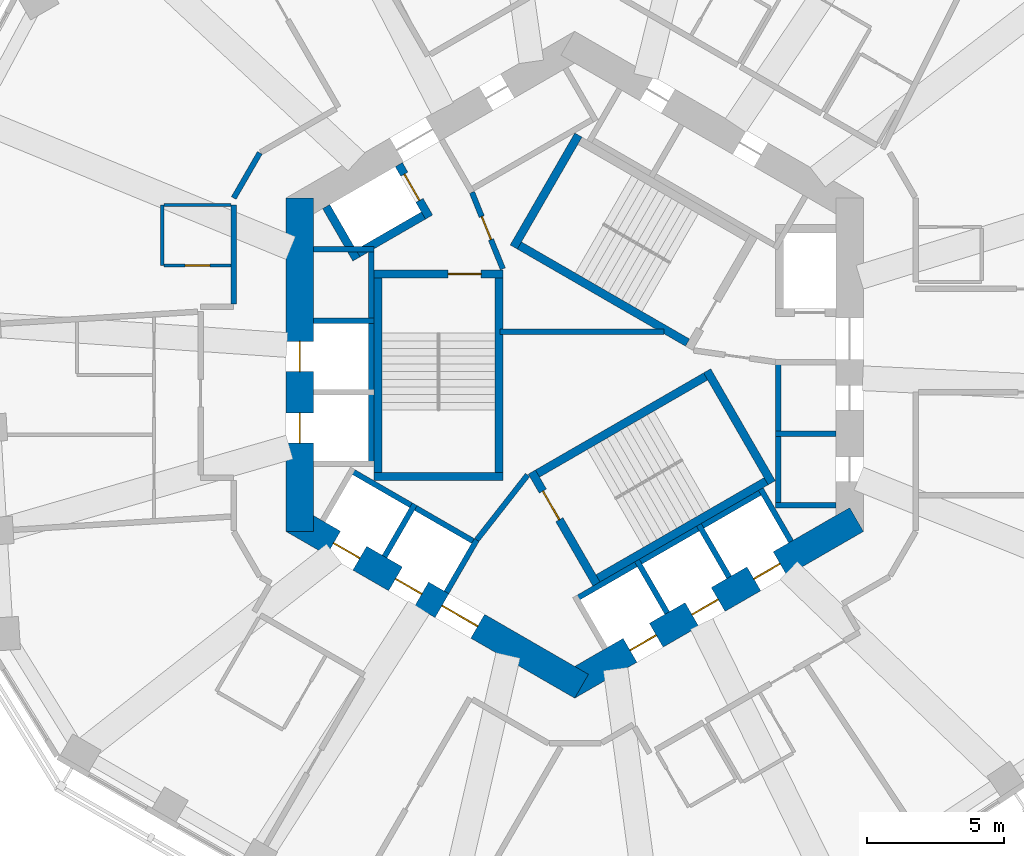
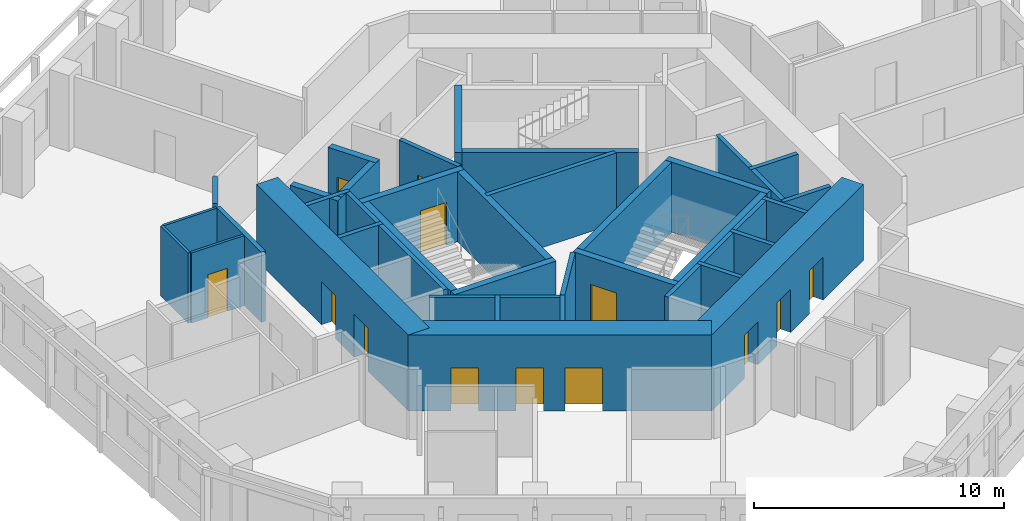
# One storey, part 5 of 11: 37 walls, 13 doors, 13 openings.
"""IFC4 building model written with IfcOpenShell, lengths in metres."""

from ifc_helpers import new_model, si_unit, direction, frame, frame_2d, origin, place, context, subcontext, project, spatial, rectangle, extrude, material, layer, layer_set, type_object, element, fill, save


model = new_model("IFC4")

# Units and contexts
model_context = context("Model", 3, precision=1e-05, world=origin(), true_north=direction((0.0, 1.0)))
body_context = subcontext(model_context, "Body", "Model", "MODEL_VIEW")
ifc_project = project(units=[si_unit("LENGTHUNIT", "METRE"), si_unit("AREAUNIT", "SQUARE_METRE"), si_unit("VOLUMEUNIT", "CUBIC_METRE"), si_unit("PLANEANGLEUNIT", "RADIAN"), si_unit("MASSUNIT", "GRAM", prefix="KILO")], contexts=[model_context])

# Site, building, storey
site_placement = place(None, origin())
site = spatial("IfcSite", under=ifc_project, at=site_placement, CompositionType="ELEMENT")
building_placement = place(site_placement, origin())
building = spatial("IfcBuilding", under=site, at=building_placement, Name="Vanh Sen Convention Tower", CompositionType="ELEMENT")
storey_placement = place(building_placement, frame((0.0, 0.0, 168.800048828125)))
storey = spatial("IfcBuildingStorey", under=building, at=storey_placement, Name="L41", CompositionType="ELEMENT", Elevation=168.800048828125)

# Walls
ifc_material_1 = material(Name="Moisture-resistant gypsum board on steel studs", Category="steel")
ifc_layer_1 = layer(ifc_material_1, 0.1201171875)
ifc_layer_set_1 = layer_set([ifc_layer_1], Name="Moisture-resistant gypsum board on steel studs")
wall_type_1 = type_object("IfcWallType", Name="Bathroom partition 120", PredefinedType="PARTITIONING", material=ifc_layer_set_1)
wall_1_placement = place(storey_placement, frame((-15.0, 3.6123046875, 0.0), z_axis=(0.0, 0.0, 1.0), x_axis=(0.0, 1.0, 0.0)))
element("IfcWall", 1, at=wall_1_placement, inside=storey, type_object=wall_type_1, Name="Bathroom partition 120", PredefinedType="PARTITIONING", context=body_context, shape_type="SweptSolid", body=[
    extrude(rectangle(XDim=2.199951171875, YDim=0.1201171875, at=frame_2d((1.10009765625, 0.0))), origin(), (0.0, 0.0, 1.0), 3.419921875),
])
wall_2_placement = place(storey_placement, frame((-14.93994140625, 5.812255859375, 0.0), z_axis=(0.0, 0.0, 1.0), x_axis=(1.0, 0.0, 0.0)))
element("IfcWall", 2, at=wall_2_placement, inside=storey, type_object=wall_type_1, Name="Bathroom partition 120", PredefinedType="PARTITIONING", context=body_context, shape_type="SweptSolid", body=[
    extrude(rectangle(XDim=2.43994140625, YDim=0.1201171875, at=frame_2d((1.219970703125, 0.0))), origin(), (0.0, 0.0, 1.0), 3.419921875),
])

# Wall, opening, door
wall_3_placement = place(storey_placement, frame((-12.5, 3.6123046875, 0.0), z_axis=(0.0, 0.0, 1.0), x_axis=(-1.0, 0.0, 0.0)))
wall_3 = element("IfcWall", 3, at=wall_3_placement, inside=storey, type_object=wall_type_1, Name="Bathroom partition 120", PredefinedType="PARTITIONING", context=body_context, shape_type="SweptSolid", body=[
    extrude(rectangle(XDim=2.43994140625, YDim=0.1201171875, at=frame_2d((1.219970703125, 0.0))), origin(), (0.0, 0.0, 1.0), 3.419921875),
])
opening_1_placement = place(wall_3_placement, frame((0.77001953125, 0.0, 0.0)))
opening_1 = element("IfcOpeningElement", 4, at=opening_1_placement, cuts=wall_3, Name="Opening D41108", PredefinedType="OPENING", context=body_context, shape_type="SweptSolid", body=[
    extrude(rectangle(XDim=0.89990234375, YDim=2.10009765625, at=frame_2d((0.449951171875, 1.050048828125))), frame((0.0, 0.070068359375, 0.0), z_axis=(0.0, -1.0, 0.0), x_axis=(1.0, 0.0, 0.0)), (0.0, 0.0, 1.0), 0.14013671875),
])
ifc_material_2 = material(Name="Laminate door in steel frame", Category="steel")
door_type_1 = type_object("IfcDoorType", Name="Room internal door 900", OperationType="SINGLE_SWING_LEFT", PredefinedType="DOOR", material=ifc_material_2)
door_1_placement = place(opening_1_placement, origin())
door_1 = element("IfcDoor", 5, at=door_1_placement, inside=storey, type_object=door_type_1, Name="Internal room door D41108", OperationType="SINGLE_SWING_LEFT", OverallHeight=2.10009765625, OverallWidth=0.89990234375, PredefinedType="DOOR", context=body_context, shape_type="SweptSolid", body=[
    extrude(rectangle(XDim=0.89990234375, YDim=2.10009765625, at=frame_2d((0.449951171875, 1.050048828125))), frame((0.0, 0.02490234375, 0.0), z_axis=(0.0, -1.0, 0.0), x_axis=(1.0, 0.0, 0.0)), (0.0, 0.0, 1.0), 0.050048828125),
])
fill(opening_1, door_1)

# Wall, openings, doors
ifc_material_3 = material(Name="Concrete C80/95", Category="concrete")
ifc_layer_2 = layer(ifc_material_3, 1.0)
ifc_layer_set_2 = layer_set([ifc_layer_2], Name="Concrete C80/95")
wall_type_2 = type_object("IfcWallType", Name="Core outer wall 1000 C80/95", PredefinedType="SHEAR", material=ifc_layer_set_2)
wall_4_placement = place(storey_placement, frame((-10.0, 6.062255859375, 0.0), z_axis=(0.0, 0.0, 1.0), x_axis=(0.0, -1.0, 0.0)))
wall_4 = element("IfcWall", 6, at=wall_4_placement, inside=storey, type_object=wall_type_2, Name="Core wall face W L41", PredefinedType="SHEAR", context=body_context, shape_type="SweptSolid", body=[
    extrude(rectangle(XDim=12.12451171875, YDim=1.0, at=frame_2d((6.062255859375, 0.0))), origin(), (0.0, 0.0, 1.0), 3.699951171875),
])
opening_2_placement = place(wall_4_placement, frame((5.212158203125, 0.0, 0.0)))
opening_2 = element("IfcOpeningElement", 7, at=opening_2_placement, cuts=wall_4, Name="Opening LD-HR1", PredefinedType="OPENING", context=body_context, shape_type="SweptSolid", body=[
    extrude(rectangle(XDim=1.10009765625, YDim=2.10009765625, at=frame_2d((0.550048828125, 1.050048828125))), frame((0.0, 0.510009765625, 0.0), z_axis=(0.0, -1.0, 0.0), x_axis=(1.0, 0.0, 0.0)), (0.0, 0.0, 1.0), 1.02001953125),
])
opening_3_placement = place(wall_4_placement, frame((7.812255859375, 0.0, 0.0)))
opening_3 = element("IfcOpeningElement", 8, at=opening_3_placement, cuts=wall_4, Name="Opening LD-HR2", PredefinedType="OPENING", context=body_context, shape_type="SweptSolid", body=[
    extrude(rectangle(XDim=1.10009765625, YDim=2.10009765625, at=frame_2d((0.550048828125, 1.050048828125))), frame((0.0, 0.510009765625, 0.0), z_axis=(0.0, -1.0, 0.0), x_axis=(1.0, 0.0, 0.0)), (0.0, 0.0, 1.0), 1.02001953125),
])
ifc_material_4 = material(Name="Stainless steel", Category="steel")
door_type_2 = type_object("IfcDoorType", Name="Lift landing door 1100", OperationType="DOUBLE_DOOR_SLIDING", PredefinedType="DOOR", material=ifc_material_4)
door_2_placement = place(opening_2_placement, origin())
door_2 = element("IfcDoor", 9, at=door_2_placement, inside=storey, type_object=door_type_2, Name="Lift HR1 landing door LD-HR1", OperationType="DOUBLE_DOOR_SLIDING", OverallHeight=2.10009765625, OverallWidth=1.10009765625, PredefinedType="DOOR", context=body_context, shape_type="SweptSolid", body=[
    extrude(rectangle(XDim=1.10009765625, YDim=2.10009765625, at=frame_2d((0.550048828125, 1.050048828125))), frame((0.0, 0.02490234375, 0.0), z_axis=(0.0, -1.0, 0.0), x_axis=(1.0, 0.0, 0.0)), (0.0, 0.0, 1.0), 0.050048828125),
])
fill(opening_2, door_2)
door_3_placement = place(opening_3_placement, origin())
door_3 = element("IfcDoor", 10, at=door_3_placement, inside=storey, type_object=door_type_2, Name="Lift HR2 landing door LD-HR2", OperationType="DOUBLE_DOOR_SLIDING", OverallHeight=2.10009765625, OverallWidth=1.10009765625, PredefinedType="DOOR", context=body_context, shape_type="SweptSolid", body=[
    extrude(rectangle(XDim=1.10009765625, YDim=2.10009765625, at=frame_2d((0.550048828125, 1.050048828125))), frame((0.0, 0.02490234375, 0.0), z_axis=(0.0, -1.0, 0.0), x_axis=(1.0, 0.0, 0.0)), (0.0, 0.0, 1.0), 0.050048828125),
])
fill(opening_3, door_3)

wall_5_placement = place(storey_placement, frame((-10.25, -5.629150390625, 0.0), z_axis=(0.0, 0.0, 1.0), x_axis=(0.866022616891, -0.50000482701, 0.0)))
wall_5 = element("IfcWall", 11, at=wall_5_placement, inside=storey, type_object=wall_type_2, Name="Core wall face SW L41", PredefinedType="SHEAR", context=body_context, shape_type="SweptSolid", body=[
    extrude(rectangle(XDim=12.12451171875, YDim=1.0, at=frame_2d((6.062255859375, 0.0))), origin(), (0.0, 0.0, 1.0), 3.699951171875),
])
opening_4_placement = place(wall_5_placement, frame((6.26220703125, 0.0, 0.0)))
opening_4 = element("IfcOpeningElement", 12, at=opening_4_placement, cuts=wall_5, Name="Opening D41003", PredefinedType="OPENING", context=body_context, shape_type="SweptSolid", body=[
    extrude(rectangle(XDim=1.5, YDim=2.10009765625, at=frame_2d((0.75, 1.050048828125))), frame((0.0, 0.510009765625, 0.0), z_axis=(0.0, -1.0, 0.0), x_axis=(1.0, 0.0, 0.0)), (0.0, 0.0, 1.0), 1.02001953125),
])
opening_5_placement = place(wall_5_placement, frame((1.712158203125, 0.0, 0.0)))
opening_5 = element("IfcOpeningElement", 13, at=opening_5_placement, cuts=wall_5, Name="Opening LD-HR3", PredefinedType="OPENING", context=body_context, shape_type="SweptSolid", body=[
    extrude(rectangle(XDim=1.10009765625, YDim=2.10009765625, at=frame_2d((0.550048828125, 1.050048828125))), frame((0.0, 0.510009765625, 0.0), z_axis=(0.0, -1.0, 0.0), x_axis=(1.0, 0.0, 0.0)), (0.0, 0.0, 1.0), 1.02001953125),
])
opening_6_placement = place(wall_5_placement, frame((4.312255859375, 0.0, 0.0)))
opening_6 = element("IfcOpeningElement", 14, at=opening_6_placement, cuts=wall_5, Name="Opening LD-HR4", PredefinedType="OPENING", context=body_context, shape_type="SweptSolid", body=[
    extrude(rectangle(XDim=1.10009765625, YDim=2.10009765625, at=frame_2d((0.550048828125, 1.050048828125))), frame((0.0, 0.510009765625, 0.0), z_axis=(0.0, -1.0, 0.0), x_axis=(1.0, 0.0, 0.0)), (0.0, 0.0, 1.0), 1.02001953125),
])
door_4_placement = place(opening_5_placement, origin())
door_4 = element("IfcDoor", 15, at=door_4_placement, inside=storey, type_object=door_type_2, Name="Lift HR3 landing door LD-HR3", OperationType="DOUBLE_DOOR_SLIDING", OverallHeight=2.10009765625, OverallWidth=1.10009765625, PredefinedType="DOOR", context=body_context, shape_type="SweptSolid", body=[
    extrude(rectangle(XDim=1.10009765625, YDim=2.10009765625, at=frame_2d((0.550048828125, 1.050048828125))), frame((0.0, 0.02490234375, 0.0), z_axis=(0.0, -1.0, 0.0), x_axis=(1.0, 0.0, 0.0)), (0.0, 0.0, 1.0), 0.050048828125),
])
fill(opening_5, door_4)
door_5_placement = place(opening_6_placement, origin())
door_5 = element("IfcDoor", 16, at=door_5_placement, inside=storey, type_object=door_type_2, Name="Lift HR4 landing door LD-HR4", OperationType="DOUBLE_DOOR_SLIDING", OverallHeight=2.10009765625, OverallWidth=1.10009765625, PredefinedType="DOOR", context=body_context, shape_type="SweptSolid", body=[
    extrude(rectangle(XDim=1.10009765625, YDim=2.10009765625, at=frame_2d((0.550048828125, 1.050048828125))), frame((0.0, 0.02490234375, 0.0), z_axis=(0.0, -1.0, 0.0), x_axis=(1.0, 0.0, 0.0)), (0.0, 0.0, 1.0), 0.050048828125),
])
fill(opening_6, door_5)
ifc_material_5 = material(Name="Steel S355", Category="steel")
door_type_3 = type_object("IfcDoorType", Name="Stair lobby door 1500", OperationType="DOUBLE_DOOR_SINGLE_SWING", PredefinedType="DOOR", material=ifc_material_5)
door_6_placement = place(opening_4_placement, origin())
door_6 = element("IfcDoor", 17, at=door_6_placement, inside=storey, type_object=door_type_3, Name="Stair lobby door D41003", OperationType="DOUBLE_DOOR_SINGLE_SWING", OverallHeight=2.10009765625, OverallWidth=1.5, PredefinedType="DOOR", context=body_context, shape_type="SweptSolid", body=[
    extrude(rectangle(XDim=1.5, YDim=2.10009765625, at=frame_2d((0.75, 1.050048828125))), frame((0.0, 0.02490234375, 0.0), z_axis=(0.0, -1.0, 0.0), x_axis=(1.0, 0.0, 0.0)), (0.0, 0.0, 1.0), 0.050048828125),
])
fill(opening_4, door_6)

wall_6_placement = place(storey_placement, frame((-0.25, -11.69140625, 0.0), z_axis=(0.0, 0.0, 1.0), x_axis=(0.866022616891, 0.50000482701, 0.0)))
wall_6 = element("IfcWall", 18, at=wall_6_placement, inside=storey, type_object=wall_type_2, Name="Core wall face SE L41", PredefinedType="SHEAR", context=body_context, shape_type="SweptSolid", body=[
    extrude(rectangle(XDim=12.12451171875, YDim=1.0, at=frame_2d((6.062255859375, 0.0))), origin(), (0.0, 0.0, 1.0), 3.699951171875),
])
opening_7_placement = place(wall_6_placement, frame((2.6123046875, 0.0, 0.0)))
opening_7 = element("IfcOpeningElement", 19, at=opening_7_placement, cuts=wall_6, Name="Opening LD-HR5", PredefinedType="OPENING", context=body_context, shape_type="SweptSolid", body=[
    extrude(rectangle(XDim=1.10009765625, YDim=2.10009765625, at=frame_2d((0.550048828125, 1.050048828125))), frame((0.0, 0.510009765625, 0.0), z_axis=(0.0, -1.0, 0.0), x_axis=(1.0, 0.0, 0.0)), (0.0, 0.0, 1.0), 1.02001953125),
])
opening_8_placement = place(wall_6_placement, frame((5.212158203125, 0.0, 0.0)))
opening_8 = element("IfcOpeningElement", 20, at=opening_8_placement, cuts=wall_6, Name="Opening LD-HR6", PredefinedType="OPENING", context=body_context, shape_type="SweptSolid", body=[
    extrude(rectangle(XDim=1.10009765625, YDim=2.10009765625, at=frame_2d((0.550048828125, 1.050048828125))), frame((0.0, 0.510009765625, 0.0), z_axis=(0.0, -1.0, 0.0), x_axis=(1.0, 0.0, 0.0)), (0.0, 0.0, 1.0), 1.02001953125),
])
opening_9_placement = place(wall_6_placement, frame((7.812255859375, 0.0, 0.0)))
opening_9 = element("IfcOpeningElement", 21, at=opening_9_placement, cuts=wall_6, Name="Opening LD-SV1", PredefinedType="OPENING", context=body_context, shape_type="SweptSolid", body=[
    extrude(rectangle(XDim=1.10009765625, YDim=2.10009765625, at=frame_2d((0.550048828125, 1.050048828125))), frame((0.0, 0.510009765625, 0.0), z_axis=(0.0, -1.0, 0.0), x_axis=(1.0, 0.0, 0.0)), (0.0, 0.0, 1.0), 1.02001953125),
])
door_7_placement = place(opening_7_placement, origin())
door_7 = element("IfcDoor", 22, at=door_7_placement, inside=storey, type_object=door_type_2, Name="Lift HR5 landing door LD-HR5", OperationType="DOUBLE_DOOR_SLIDING", OverallHeight=2.10009765625, OverallWidth=1.10009765625, PredefinedType="DOOR", context=body_context, shape_type="SweptSolid", body=[
    extrude(rectangle(XDim=1.10009765625, YDim=2.10009765625, at=frame_2d((0.550048828125, 1.050048828125))), frame((0.0, 0.02490234375, 0.0), z_axis=(0.0, -1.0, 0.0), x_axis=(1.0, 0.0, 0.0)), (0.0, 0.0, 1.0), 0.050048828125),
])
fill(opening_7, door_7)
door_8_placement = place(opening_8_placement, origin())
door_8 = element("IfcDoor", 23, at=door_8_placement, inside=storey, type_object=door_type_2, Name="Lift HR6 landing door LD-HR6", OperationType="DOUBLE_DOOR_SLIDING", OverallHeight=2.10009765625, OverallWidth=1.10009765625, PredefinedType="DOOR", context=body_context, shape_type="SweptSolid", body=[
    extrude(rectangle(XDim=1.10009765625, YDim=2.10009765625, at=frame_2d((0.550048828125, 1.050048828125))), frame((0.0, 0.02490234375, 0.0), z_axis=(0.0, -1.0, 0.0), x_axis=(1.0, 0.0, 0.0)), (0.0, 0.0, 1.0), 0.050048828125),
])
fill(opening_8, door_8)
door_9_placement = place(opening_9_placement, origin())
door_9 = element("IfcDoor", 24, at=door_9_placement, inside=storey, type_object=door_type_2, Name="Lift SV1 landing door LD-SV1", OperationType="DOUBLE_DOOR_SLIDING", OverallHeight=2.10009765625, OverallWidth=1.10009765625, PredefinedType="DOOR", context=body_context, shape_type="SweptSolid", body=[
    extrude(rectangle(XDim=1.10009765625, YDim=2.10009765625, at=frame_2d((0.550048828125, 1.050048828125))), frame((0.0, 0.02490234375, 0.0), z_axis=(0.0, -1.0, 0.0), x_axis=(1.0, 0.0, 0.0)), (0.0, 0.0, 1.0), 0.050048828125),
])
fill(opening_9, door_9)

# Walls
ifc_material_6 = material(Name="Masonry blockwork", Category="masonry")
ifc_layer_3 = layer(ifc_material_6, 0.199951171875)
ifc_layer_set_3 = layer_set([ifc_layer_3], Name="Masonry blockwork")
wall_type_3 = type_object("IfcWallType", Name="Core partition 200", PredefinedType="PARTITIONING", material=ifc_layer_set_3)
wall_7_placement = place(storey_placement, frame((-2.719970703125, 1.199951171875, 0.0), z_axis=(0.0, 0.0, 1.0), x_axis=(1.0, 0.0, 0.0)))
element("IfcWall", 25, at=wall_7_placement, inside=storey, type_object=wall_type_3, Name="Core partition L41", PredefinedType="PARTITIONING", context=body_context, shape_type="SweptSolid", body=[
    extrude(rectangle(XDim=5.96142578125, YDim=0.199951171875, at=frame_2d((2.980712890625, 0.0))), origin(), (0.0, 0.0, 1.0), 3.419921875),
])
ifc_material_7 = material(Name="Gypsum board on steel studs with mineral wool", Category="steel")
ifc_layer_4 = layer(ifc_material_7, 0.199951171875)
ifc_layer_set_4 = layer_set([ifc_layer_4], Name="Gypsum board on steel studs with mineral wool")
wall_type_4 = type_object("IfcWallType", Name="Corridor partition wall 200", PredefinedType="PARTITIONING", material=ifc_layer_set_4)
wall_8_placement = place(storey_placement, frame((-12.39990234375, 5.812255859375, 0.0), z_axis=(0.0, 0.0, 1.0), x_axis=(0.0, -1.0, 0.0)))
element("IfcWall", 26, at=wall_8_placement, inside=storey, type_object=wall_type_4, Name="Corridor partition wall 200", PredefinedType="PARTITIONING", context=body_context, shape_type="SweptSolid", body=[
    extrude(rectangle(XDim=3.611328125, YDim=0.199951171875, at=frame_2d((1.8056640625, 0.0))), origin(), (0.0, 0.0, 1.0), 3.419921875),
])
wall_9_placement = place(storey_placement, frame((-11.449951171875, 7.70751953125, 0.0), z_axis=(0.0, 0.0, 1.0), x_axis=(-0.500022797313, -0.86601224135, 0.0)))
element("IfcWall", 27, at=wall_9_placement, inside=storey, type_object=wall_type_4, Name="Corridor partition wall 200", PredefinedType="PARTITIONING", context=body_context, shape_type="SweptSolid", body=[
    extrude(rectangle(XDim=1.89990234375, YDim=0.199951171875, at=frame_2d((0.949951171875, 0.0))), origin(), (0.0, 0.0, 1.0), 3.419921875),
])

# Wall, opening, door
ifc_material_8 = material(Name="Concrete C60/75", Category="concrete")
ifc_layer_5 = layer(ifc_material_8, 0.300048828125)
ifc_layer_set_5 = layer_set([ifc_layer_5], Name="Concrete C60/75")
wall_type_5 = type_object("IfcWallType", Name="Fire-fighting lift shaft wall 300", PredefinedType="SHEAR", material=ifc_layer_set_5)
wall_10_placement = place(storey_placement, frame((-5.29541015625, 5.3720703125, 0.0), z_axis=(0.0, 0.0, 1.0), x_axis=(-0.500077893725, 0.86598042715, 0.0)))
wall_10 = element("IfcWall", 28, at=wall_10_placement, inside=storey, type_object=wall_type_5, Name="Fire-fighting lift shaft wall L41", PredefinedType="SHEAR", context=body_context, shape_type="SweptSolid", body=[
    extrude(rectangle(XDim=2.199951171875, YDim=0.300048828125, at=frame_2d((1.10009765625, 0.0))), origin(), (0.0, 0.0, 1.0), 3.419921875),
])
opening_10_placement = place(wall_10_placement, frame((0.699951171875, 0.0, 0.0)))
opening_10 = element("IfcOpeningElement", 29, at=opening_10_placement, cuts=wall_10, Name="Opening LD-FF2", PredefinedType="OPENING", context=body_context, shape_type="SweptSolid", body=[
    extrude(rectangle(XDim=1.10009765625, YDim=2.10009765625, at=frame_2d((0.550048828125, 1.050048828125))), frame((0.0, 0.159912109375, 0.0), z_axis=(0.0, -1.0, 0.0), x_axis=(1.0, 0.0, 0.0)), (0.0, 0.0, 1.0), 0.320068359375),
])
door_type_4 = type_object("IfcDoorType", Name="Fire-fighting lift landing door 1100", OperationType="DOUBLE_DOOR_SLIDING", PredefinedType="DOOR", material=ifc_material_4)
door_10_placement = place(opening_10_placement, origin())
door_10 = element("IfcDoor", 30, at=door_10_placement, inside=storey, type_object=door_type_4, Name="Lift FF2 landing door LD-FF2", OperationType="DOUBLE_DOOR_SLIDING", OverallHeight=2.10009765625, OverallWidth=1.10009765625, PredefinedType="DOOR", context=body_context, shape_type="SweptSolid", body=[
    extrude(rectangle(XDim=1.10009765625, YDim=2.10009765625, at=frame_2d((0.550048828125, 1.050048828125))), frame((0.0, 0.02490234375, 0.0), z_axis=(0.0, -1.0, 0.0), x_axis=(1.0, 0.0, 0.0)), (0.0, 0.0, 1.0), 0.050048828125),
])
fill(opening_10, door_10)

# Walls
wall_11_placement = place(storey_placement, frame((-5.240478515625, 5.576904296875, 0.0), z_axis=(0.0, 0.0, 1.0), x_axis=(-0.866014461049, -0.500018952895, 0.0)))
element("IfcWall", 31, at=wall_11_placement, inside=storey, type_object=wall_type_5, Name="Fire-fighting lift shaft wall L41", PredefinedType="SHEAR", context=body_context, shape_type="SweptSolid", body=[
    extrude(rectangle(XDim=3.349853515625, YDim=0.300048828125, at=frame_2d((1.6748046875, 0.0))), origin(), (0.0, 0.0, 1.0), 3.419921875),
])
wall_12_placement = place(storey_placement, frame((-7.936767578125, 3.846923828125, 0.0), z_axis=(0.0, 0.0, 1.0), x_axis=(-0.50002983664, 0.866008176907, 0.0)))
element("IfcWall", 32, at=wall_12_placement, inside=storey, type_object=wall_type_5, Name="Fire-fighting lift shaft wall L41", PredefinedType="SHEAR", context=body_context, shape_type="SweptSolid", body=[
    extrude(rectangle(XDim=2.199951171875, YDim=0.300048828125, at=frame_2d((1.10009765625, 0.0))), origin(), (0.0, 0.0, 1.0), 3.419921875),
])
ifc_material_9 = material(Name="Concrete C40/50", Category="concrete")
ifc_layer_6 = layer(ifc_material_9, 0.199951171875)
ifc_layer_set_6 = layer_set([ifc_layer_6], Name="Concrete C40/50")
wall_type_6 = type_object("IfcWallType", Name="Lift shaft wall 200", PredefinedType="PARTITIONING", material=ifc_layer_set_6)
wall_13_placement = place(storey_placement, frame((7.39990234375, -5.199951171875, 0.0), z_axis=(0.0, 0.0, 1.0), x_axis=(0.0, 1.0, 0.0)))
element("IfcWall", 33, at=wall_13_placement, inside=storey, type_object=wall_type_6, Name="Lift shaft wall L41", PredefinedType="PARTITIONING", context=body_context, shape_type="SweptSolid", body=[
    extrude(rectangle(XDim=5.39990234375, YDim=0.199951171875, at=frame_2d((2.699951171875, 0.0))), origin(), (0.0, 0.0, 1.0), 3.419921875),
])
for number, where, z_axis, x_axis, name in (
    (34, (7.300048828125, -5.10009765625, 0.0), (0.0, 0.0, 1.0), (1.0, 0.0, 0.0), "Lift shaft wall L41"),
    (35, (7.300048828125, -2.5, 0.0), (0.0, 0.0, 1.0), (1.0, 0.0, 0.0), "Lift shaft wall L41"),
):
    element("IfcWall", number, at=place(storey_placement, frame(where, z_axis=z_axis, x_axis=x_axis)), inside=storey, type_object=wall_type_6, Name=name, PredefinedType="PARTITIONING", context=body_context, shape_type="SweptSolid", body=[
        extrude(rectangle(XDim=2.199951171875, YDim=0.199951171875, at=frame_2d((1.10009765625, 0.0))), origin(), (0.0, 0.0, 1.0), 3.419921875),
    ])
wall_14_placement = place(storey_placement, frame((-7.39990234375, 4.300048828125, 0.0), z_axis=(0.0, 0.0, 1.0), x_axis=(0.0, -1.0, 0.0)))
element("IfcWall", 36, at=wall_14_placement, inside=storey, type_object=wall_type_6, Name="Lift shaft wall L41", PredefinedType="PARTITIONING", context=body_context, shape_type="SweptSolid", body=[
    extrude(rectangle(XDim=8.0, YDim=0.199951171875, at=frame_2d((4.0, 0.0))), origin(), (0.0, 0.0, 1.0), 3.419921875),
])
for number, where, z_axis, x_axis, name in (
    (37, (-7.300048828125, 4.199951171875, 0.0), (0.0, 0.0, 1.0), (-1.0, 0.0, 0.0), "Lift shaft wall L41"),
    (38, (-7.300048828125, 1.60009765625, 0.0), (0.0, 0.0, 1.0), (-1.0, 0.0, 0.0), "Lift shaft wall L41"),
):
    element("IfcWall", number, at=place(storey_placement, frame(where, z_axis=z_axis, x_axis=x_axis)), inside=storey, type_object=wall_type_6, Name=name, PredefinedType="PARTITIONING", context=body_context, shape_type="SweptSolid", body=[
        extrude(rectangle(XDim=2.199951171875, YDim=0.199951171875, at=frame_2d((1.10009765625, 0.0))), origin(), (0.0, 0.0, 1.0), 3.419921875),
    ])
wall_15_placement = place(storey_placement, frame((-8.203369140625, -3.80859375, 0.0), z_axis=(0.0, 0.0, 1.0), x_axis=(0.866028230842, -0.499995103361, 0.0)))
element("IfcWall", 39, at=wall_15_placement, inside=storey, type_object=wall_type_6, Name="Lift shaft wall L41", PredefinedType="PARTITIONING", context=body_context, shape_type="SweptSolid", body=[
    extrude(rectangle(XDim=5.39990234375, YDim=0.199951171875, at=frame_2d((2.699951171875, 0.0))), origin(), (0.0, 0.0, 1.0), 3.419921875),
])
wall_16_placement = place(storey_placement, frame((-5.815185546875, -5.072021484375, 0.0), z_axis=(0.0, 0.0, 1.0), x_axis=(-0.499946605688, -0.86605622881, 0.0)))
element("IfcWall", 40, at=wall_16_placement, inside=storey, type_object=wall_type_6, Name="Lift shaft wall L41", PredefinedType="PARTITIONING", context=body_context, shape_type="SweptSolid", body=[
    extrude(rectangle(XDim=2.199951171875, YDim=0.199951171875, at=frame_2d((1.10009765625, 0.0))), origin(), (0.0, 0.0, 1.0), 3.419921875),
])
wall_17_placement = place(storey_placement, frame((-3.5634765625, -6.3720703125, 0.0), z_axis=(0.0, 0.0, 1.0), x_axis=(-0.499994660107, -0.866028486751, 0.0)))
element("IfcWall", 41, at=wall_17_placement, inside=storey, type_object=wall_type_6, Name="Lift shaft wall L41", PredefinedType="PARTITIONING", context=body_context, shape_type="SweptSolid", body=[
    extrude(rectangle(XDim=2.19970703125, YDim=0.199951171875, at=frame_2d((1.099853515625, 0.0))), origin(), (0.0, 0.0, 1.0), 3.419921875),
])
wall_18_placement = place(storey_placement, frame((-0.02392578125, -8.55859375, 0.0), z_axis=(0.0, 0.0, 1.0), x_axis=(0.866026010844, 0.49999894854, 0.0)))
element("IfcWall", 42, at=wall_18_placement, inside=storey, type_object=wall_type_6, Name="Lift shaft wall L41", PredefinedType="PARTITIONING", context=body_context, shape_type="SweptSolid", body=[
    extrude(rectangle(XDim=8.0, YDim=0.199951171875, at=frame_2d((4.0, 0.0))), origin(), (0.0, 0.0, 1.0), 3.419921875),
])
for number, where, z_axis, x_axis, name in (
    (43, (2.264404296875, -7.1220703125, 0.0), (0.0, 0.0, 1.0), (0.500077893725, -0.86598042715, 0.0), "Lift shaft wall L41"),
    (44, (4.51611328125, -5.822021484375, 0.0), (0.0, 0.0, 1.0), (0.499946605688, -0.86605622881, 0.0), "Lift shaft wall L41"),
    (45, (6.767578125, -4.52197265625, 0.0), (0.0, 0.0, 1.0), (0.50002983664, -0.866008176907, 0.0), "Lift shaft wall L41"),
):
    element("IfcWall", number, at=place(storey_placement, frame(where, z_axis=z_axis, x_axis=x_axis)), inside=storey, type_object=wall_type_6, Name=name, PredefinedType="PARTITIONING", context=body_context, shape_type="SweptSolid", body=[
        extrude(rectangle(XDim=2.199951171875, YDim=0.199951171875, at=frame_2d((1.10009765625, 0.0))), origin(), (0.0, 0.0, 1.0), 3.419921875),
    ])

# Wall, opening, door
ifc_layer_7 = layer(ifc_material_9, 0.199951171875)
ifc_layer_set_7 = layer_set([ifc_layer_7], Name="Concrete C40/50")
wall_type_7 = type_object("IfcWallType", Name="Stair lobby wall 200", PredefinedType="PARTITIONING", material=ifc_layer_set_7)
wall_19_placement = place(storey_placement, frame((-2.614990234375, 3.487060546875, 0.0), z_axis=(0.0, 0.0, 1.0), x_axis=(-0.373576831041, 0.92759924068, 0.0)))
wall_19 = element("IfcWall", 46, at=wall_19_placement, inside=storey, type_object=wall_type_7, Name="Stair lobby wall L41", PredefinedType="PARTITIONING", context=body_context, shape_type="SweptSolid", body=[
    extrude(rectangle(XDim=3.002197265625, YDim=0.199951171875, at=frame_2d((1.5009765625, 0.0))), origin(), (0.0, 0.0, 1.0), 3.419921875),
])
opening_11_placement = place(wall_19_placement, frame((1.14990234375, 0.0, 0.0)))
opening_11 = element("IfcOpeningElement", 47, at=opening_11_placement, cuts=wall_19, Name="Opening D41008", PredefinedType="OPENING", context=body_context, shape_type="SweptSolid", body=[
    extrude(rectangle(XDim=0.89990234375, YDim=2.10009765625, at=frame_2d((0.449951171875, 1.050048828125))), frame((0.0, 0.10986328125, 0.0), z_axis=(0.0, -1.0, 0.0), x_axis=(1.0, 0.0, 0.0)), (0.0, 0.0, 1.0), 0.219970703125),
])
door_type_5 = type_object("IfcDoorType", Name="Plant door 900", OperationType="SINGLE_SWING_LEFT", PredefinedType="DOOR", material=ifc_material_5)
door_11_placement = place(opening_11_placement, origin())
door_11 = element("IfcDoor", 48, at=door_11_placement, inside=storey, type_object=door_type_5, Name="Plant door D41008", OperationType="SINGLE_SWING_LEFT", OverallHeight=2.10009765625, OverallWidth=0.89990234375, PredefinedType="DOOR", context=body_context, shape_type="SweptSolid", body=[
    extrude(rectangle(XDim=0.89990234375, YDim=2.10009765625, at=frame_2d((0.449951171875, 1.050048828125))), frame((0.0, 0.02490234375, 0.0), z_axis=(0.0, -1.0, 0.0), x_axis=(1.0, 0.0, 0.0)), (0.0, 0.0, 1.0), 0.050048828125),
])
fill(opening_11, door_11)

# Walls
wall_20_placement = place(storey_placement, frame((-1.71240234375, -4.00830078125, 0.0), z_axis=(0.0, 0.0, 1.0), x_axis=(-0.616549420702, -0.787316208287, 0.0)))
element("IfcWall", 49, at=wall_20_placement, inside=storey, type_object=wall_type_7, Name="Stair lobby wall L41", PredefinedType="PARTITIONING", context=body_context, shape_type="SweptSolid", body=[
    extrude(rectangle(XDim=3.002197265625, YDim=0.199951171875, at=frame_2d((1.5009765625, 0.0))), origin(), (0.0, 0.0, 1.0), 3.419921875),
])
ifc_layer_8 = layer(ifc_material_8, 0.300048828125)
ifc_layer_set_8 = layer_set([ifc_layer_8], Name="Concrete C60/75")
wall_type_8 = type_object("IfcWallType", Name="Stair wall 300", PredefinedType="SHEAR", material=ifc_layer_set_8)
wall_21_placement = place(storey_placement, frame((-2.216064453125, 4.28173828125, 0.0), z_axis=(0.0, 0.0, 1.0), x_axis=(0.499977259774, 0.866038532462, 0.0)))
element("IfcWall", 50, at=wall_21_placement, inside=storey, type_object=wall_type_8, Name="Stair wall L41", PredefinedType="SHEAR", context=body_context, shape_type="SweptSolid", body=[
    extrude(rectangle(XDim=4.699951171875, YDim=0.300048828125, at=frame_2d((2.35009765625, 0.0))), origin(), (0.0, 0.0, 1.0), 3.419921875),
])
wall_22_placement = place(storey_placement, frame((4.10302734375, 0.806640625, 0.0), z_axis=(0.0, 0.0, 1.0), x_axis=(-0.866027801685, 0.499995846692, 0.0)))
element("IfcWall", 51, at=wall_22_placement, inside=storey, type_object=wall_type_8, Name="Stair wall L41", PredefinedType="SHEAR", context=body_context, shape_type="SweptSolid", body=[
    extrude(rectangle(XDim=7.06005859375, YDim=0.300048828125, at=frame_2d((3.530029296875, 0.0))), origin(), (0.0, 0.0, 1.0), 3.419921875),
])

# Wall, opening, door
wall_23_placement = place(storey_placement, frame((-2.60009765625, 3.300048828125, 0.0), z_axis=(0.0, 0.0, 1.0), x_axis=(-1.0, 0.0, 0.0)))
wall_23 = element("IfcWall", 52, at=wall_23_placement, inside=storey, type_object=wall_type_8, Name="Stair wall L41", PredefinedType="SHEAR", context=body_context, shape_type="SweptSolid", body=[
    extrude(rectangle(XDim=4.699951171875, YDim=0.300048828125, at=frame_2d((2.35009765625, 0.0))), origin(), (0.0, 0.0, 1.0), 3.419921875),
])
opening_12_placement = place(wall_23_placement, frame((0.800048828125, 0.0, 0.0)))
opening_12 = element("IfcOpeningElement", 53, at=opening_12_placement, cuts=wall_23, Name="Opening D41005", PredefinedType="OPENING", context=body_context, shape_type="SweptSolid", body=[
    extrude(rectangle(XDim=1.199951171875, YDim=2.10009765625, at=frame_2d((0.60009765625, 1.050048828125))), frame((0.0, 0.159912109375, 0.0), z_axis=(0.0, -1.0, 0.0), x_axis=(1.0, 0.0, 0.0)), (0.0, 0.0, 1.0), 0.320068359375),
])
door_type_6 = type_object("IfcDoorType", Name="Stair door 1200", OperationType="SINGLE_SWING_RIGHT", PredefinedType="DOOR", material=ifc_material_5)
door_12_placement = place(opening_12_placement, origin())
door_12 = element("IfcDoor", 54, at=door_12_placement, inside=storey, type_object=door_type_6, Name="Stair ST2 door D41005", OperationType="SINGLE_SWING_RIGHT", OverallHeight=2.10009765625, OverallWidth=1.199951171875, PredefinedType="DOOR", context=body_context, shape_type="SweptSolid", body=[
    extrude(rectangle(XDim=1.199951171875, YDim=2.10009765625, at=frame_2d((0.60009765625, 1.050048828125))), frame((0.0, 0.02490234375, 0.0), z_axis=(0.0, -1.0, 0.0), x_axis=(1.0, 0.0, 0.0)), (0.0, 0.0, 1.0), 0.050048828125),
])
fill(opening_12, door_12)

# Walls
wall_24_placement = place(storey_placement, frame((-2.60009765625, -4.06005859375, 0.0), z_axis=(0.0, 0.0, 1.0), x_axis=(-1.0, 0.0, 0.0)))
element("IfcWall", 55, at=wall_24_placement, inside=storey, type_object=wall_type_8, Name="Stair wall L41", PredefinedType="SHEAR", context=body_context, shape_type="SweptSolid", body=[
    extrude(rectangle(XDim=4.699951171875, YDim=0.300048828125, at=frame_2d((2.35009765625, 0.0))), origin(), (0.0, 0.0, 1.0), 3.419921875),
])
for number, where, z_axis, x_axis, name in (
    (56, (-2.75, 3.14990234375, 0.0), (0.0, 0.0, 1.0), (0.0, -1.0, 0.0), "Stair wall L41"),
    (57, (-7.14990234375, 3.14990234375, 0.0), (0.0, 0.0, 1.0), (0.0, -1.0, 0.0), "Stair wall L41"),
):
    element("IfcWall", number, at=place(storey_placement, frame(where, z_axis=z_axis, x_axis=x_axis)), inside=storey, type_object=wall_type_8, Name=name, PredefinedType="SHEAR", context=body_context, shape_type="SweptSolid", body=[
        extrude(rectangle(XDim=7.059814453125, YDim=0.300048828125, at=frame_2d((3.52978515625, 0.0))), origin(), (0.0, 0.0, 1.0), 3.419921875),
    ])

# Wall, opening, door
wall_25_placement = place(storey_placement, frame((-1.557861328125, -3.901611328125, 0.0), z_axis=(0.0, 0.0, 1.0), x_axis=(0.499977259774, -0.866038532462, 0.0)))
wall_25 = element("IfcWall", 58, at=wall_25_placement, inside=storey, type_object=wall_type_8, Name="Stair wall L41", PredefinedType="SHEAR", context=body_context, shape_type="SweptSolid", body=[
    extrude(rectangle(XDim=4.699951171875, YDim=0.300048828125, at=frame_2d((2.35009765625, 0.0))), origin(), (0.0, 0.0, 1.0), 3.419921875),
])
opening_13_placement = place(wall_25_placement, frame((0.800048828125, 0.0, 0.0)))
opening_13 = element("IfcOpeningElement", 59, at=opening_13_placement, cuts=wall_25, Name="Opening D41006", PredefinedType="OPENING", context=body_context, shape_type="SweptSolid", body=[
    extrude(rectangle(XDim=1.199951171875, YDim=2.10009765625, at=frame_2d((0.60009765625, 1.050048828125))), frame((0.0, 0.159912109375, 0.0), z_axis=(0.0, -1.0, 0.0), x_axis=(1.0, 0.0, 0.0)), (0.0, 0.0, 1.0), 0.320068359375),
])
door_13_placement = place(opening_13_placement, origin())
door_13 = element("IfcDoor", 60, at=door_13_placement, inside=storey, type_object=door_type_6, Name="Stair ST3 door D41006", OperationType="SINGLE_SWING_RIGHT", OverallHeight=2.10009765625, OverallWidth=1.199951171875, PredefinedType="DOOR", context=body_context, shape_type="SweptSolid", body=[
    extrude(rectangle(XDim=1.199951171875, YDim=2.10009765625, at=frame_2d((0.60009765625, 1.050048828125))), frame((0.0, 0.02490234375, 0.0), z_axis=(0.0, -1.0, 0.0), x_axis=(1.0, 0.0, 0.0)), (0.0, 0.0, 1.0), 0.050048828125),
])
fill(opening_13, door_13)

# Walls
wall_26_placement = place(storey_placement, frame((4.816162109375, -0.2216796875, 0.0), z_axis=(0.0, 0.0, 1.0), x_axis=(0.499977259774, -0.866038532462, 0.0)))
element("IfcWall", 61, at=wall_26_placement, inside=storey, type_object=wall_type_8, Name="Stair wall L41", PredefinedType="SHEAR", context=body_context, shape_type="SweptSolid", body=[
    extrude(rectangle(XDim=4.699951171875, YDim=0.300048828125, at=frame_2d((2.35009765625, 0.0))), origin(), (0.0, 0.0, 1.0), 3.419921875),
])
for number, where, z_axis, x_axis, name in (
    (62, (-1.35302734375, -3.95654296875, 0.0), (0.0, 0.0, 1.0), (0.866027801685, 0.499995846692, 0.0), "Stair wall L41"),
    (63, (0.846923828125, -7.76708984375, 0.0), (0.0, 0.0, 1.0), (0.866027801685, 0.499995846692, 0.0), "Stair wall L41"),
):
    element("IfcWall", number, at=place(storey_placement, frame(where, z_axis=z_axis, x_axis=x_axis)), inside=storey, type_object=wall_type_8, Name=name, PredefinedType="SHEAR", context=body_context, shape_type="SweptSolid", body=[
        extrude(rectangle(XDim=7.06005859375, YDim=0.300048828125, at=frame_2d((3.530029296875, 0.0))), origin(), (0.0, 0.0, 1.0), 3.419921875),
    ])

save(model, "model.ifc")
